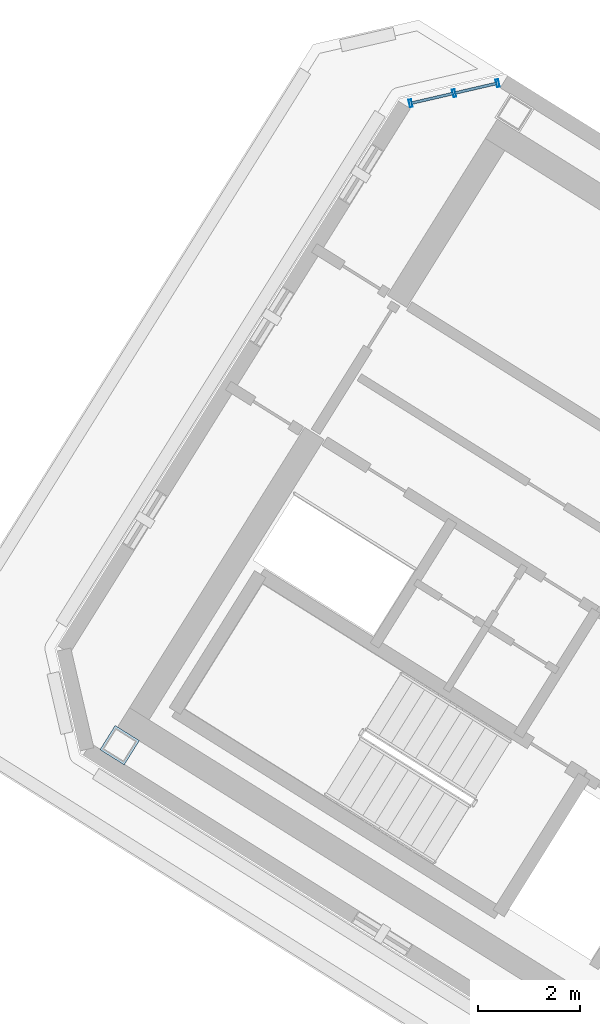
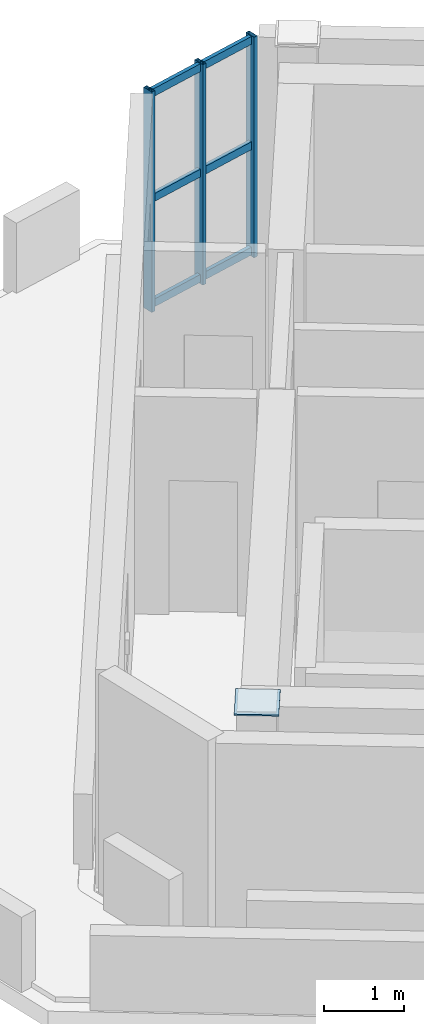
# One storey, part 2 of 5: 9 members, 1 plate, 1 element without a shape of its own.
"""IFC4 building model written with IfcOpenShell, lengths in metres."""

from ifc_helpers import new_model, si_unit, direction, frame, origin, origin_2d, place, context, subcontext, project, spatial, rectangle, hollow_rectangle, extrude, source, transform, mapped, material, layer, layer_set, material_profile, profile_set, type_object, element, aggregate, save


model = new_model("IFC4")

# Units and contexts
model_context = context("Model", 3, precision=1e-05, world=origin(), true_north=direction((0.0, 1.0)))
body_context = subcontext(model_context, "Body", "Model", "MODEL_VIEW")
ifc_project = project(units=[si_unit("LENGTHUNIT", "METRE"), si_unit("AREAUNIT", "SQUARE_METRE"), si_unit("VOLUMEUNIT", "CUBIC_METRE"), si_unit("PLANEANGLEUNIT", "RADIAN"), si_unit("MASSUNIT", "GRAM", prefix="KILO")], contexts=[model_context])

# Site, building, storey
site_placement = place(None, origin())
site = spatial("IfcSite", under=ifc_project, at=site_placement, CompositionType="ELEMENT")
building_placement = place(site_placement, origin())
building = spatial("IfcBuilding", under=site, at=building_placement, Name="Tlacorven Tower", CompositionType="ELEMENT")
storey_placement = place(building_placement, frame((0.0, 0.0, 316.800048828125)))
storey = spatial("IfcBuildingStorey", under=building, at=storey_placement, Name="L81", CompositionType="ELEMENT", Elevation=316.800048828125)

# Curtain wall, members
ifc_material_1 = material(Name="Dark solar low-E double glazing in aluminium frame", Category="aluminium")
curtain_wall_type = type_object("IfcCurtainWallType", Name="CW-CRN-LANTERN", PredefinedType="USERDEFINED", material=ifc_material_1)
curtain_wall_placement = place(storey_placement, origin())
curtain_wall = element("IfcCurtainWall", 1, at=curtain_wall_placement, inside=storey, type_object=curtain_wall_type, Name="L81 CW-CRN-LANTERN Curtain Wall 367", ObjectType="UNITISED CURTAIN WALL", PredefinedType="USERDEFINED")
ifc_material_2 = material(Name="Aluminium 6063-T6 anodised", Category="aluminium")
ifc_material_profile_1 = material_profile(ifc_material_2, hollow_rectangle(XDim=0.054931640625, YDim=0.1201171875, WallThickness=0.00341796875, at=origin_2d()), Name="ALU TRANSOM 55X120")
ifc_profile_set_1 = profile_set([ifc_material_profile_1], Name="Aluminium 6063-T6 anodised")
member_type_1 = type_object("IfcMemberType", Name="CWT-03", PredefinedType="USERDEFINED", material=ifc_profile_set_1)
shared_shape_1 = source(origin(), body_context, "Body", "SweptSolid", [
    extrude(hollow_rectangle(XDim=0.054931640625, YDim=0.1201171875, WallThickness=0.00341796875, at=origin_2d()), origin(), (0.0, 0.0, 1.0), 0.84423828125),
])
member_1_placement = place(storey_placement, frame((27.90478515625, 31.446044921875, 0.06005859375), z_axis=(0.974357063896, 0.225007359962, 0.0), x_axis=(-0.225007359962, 0.974357063896, 0.0)))
member_1 = element("IfcMember", 2, at=member_1_placement, type_object=member_type_1, Name="CW-L81-367 Transom 1", ObjectType="TRANSOM", PredefinedType="USERDEFINED", context=body_context, shape_type="MappedRepresentation", body=[
    mapped(shared_shape_1, transform((0.0, 0.0, 0.0), scale=1.0)),
])
member_2_placement = place(storey_placement, frame((27.90478515625, 31.446044921875, 1.669921875), z_axis=(0.974357063896, 0.225007359962, 0.0), x_axis=(-0.225007359962, 0.974357063896, 0.0)))
member_2 = element("IfcMember", 3, at=member_2_placement, type_object=member_type_1, Name="CW-L81-367 Transom 2", ObjectType="TRANSOM", PredefinedType="USERDEFINED", context=body_context, shape_type="MappedRepresentation", body=[
    mapped(shared_shape_1, transform((0.0, 0.0, 0.0), scale=1.0)),
])
member_3_placement = place(storey_placement, frame((27.90478515625, 31.446044921875, 3.280029296875), z_axis=(0.974357063896, 0.225007359962, 0.0), x_axis=(-0.225007359962, 0.974357063896, 0.0)))
member_3 = element("IfcMember", 4, at=member_3_placement, type_object=member_type_1, Name="CW-L81-367 Transom 3", ObjectType="TRANSOM", PredefinedType="USERDEFINED", context=body_context, shape_type="MappedRepresentation", body=[
    mapped(shared_shape_1, transform((0.0, 0.0, 0.0), scale=1.0)),
])
member_4_placement = place(storey_placement, frame((28.757568359375, 31.64306640625, 0.06005859375), z_axis=(0.974357063896, 0.225007359962, 0.0), x_axis=(-0.225007359962, 0.974357063896, 0.0)))
member_4 = element("IfcMember", 5, at=member_4_placement, type_object=member_type_1, Name="CW-L81-367 Transom 4", ObjectType="TRANSOM", PredefinedType="USERDEFINED", context=body_context, shape_type="MappedRepresentation", body=[
    mapped(shared_shape_1, transform((0.0, 0.0, 0.0), scale=1.0)),
])
member_5_placement = place(storey_placement, frame((28.757568359375, 31.64306640625, 1.669921875), z_axis=(0.974357063896, 0.225007359962, 0.0), x_axis=(-0.225007359962, 0.974357063896, 0.0)))
member_5 = element("IfcMember", 6, at=member_5_placement, type_object=member_type_1, Name="CW-L81-367 Transom 5", ObjectType="TRANSOM", PredefinedType="USERDEFINED", context=body_context, shape_type="MappedRepresentation", body=[
    mapped(shared_shape_1, transform((0.0, 0.0, 0.0), scale=1.0)),
])
member_6_placement = place(storey_placement, frame((28.757568359375, 31.64306640625, 3.280029296875), z_axis=(0.974357063896, 0.225007359962, 0.0), x_axis=(-0.225007359962, 0.974357063896, 0.0)))
member_6 = element("IfcMember", 7, at=member_6_placement, type_object=member_type_1, Name="CW-L81-367 Transom 6", ObjectType="TRANSOM", PredefinedType="USERDEFINED", context=body_context, shape_type="MappedRepresentation", body=[
    mapped(shared_shape_1, transform((0.0, 0.0, 0.0), scale=1.0)),
])
ifc_material_profile_2 = material_profile(ifc_material_2, hollow_rectangle(XDim=0.054931640625, YDim=0.14990234375, WallThickness=0.00390625, at=origin_2d()), Name="ALU MULLION 55X150")
ifc_profile_set_2 = profile_set([ifc_material_profile_2], Name="Aluminium 6063-T6 anodised")
member_type_2 = type_object("IfcMemberType", Name="CWM-04", PredefinedType="MULLION", material=ifc_profile_set_2)
shared_shape_2 = source(origin(), body_context, "Body", "SweptSolid", [
    extrude(hollow_rectangle(XDim=0.054931640625, YDim=0.14990234375, WallThickness=0.00390625, at=origin_2d()), origin(), (0.0, 0.0, 1.0), 3.369873046875),
])
member_7_placement = place(storey_placement, frame((27.8896484375, 31.442626953125, -0.02001953125), z_axis=(0.0, 0.0, 1.0), x_axis=(0.974369342296, 0.224954183764, 0.0)))
member_7 = element("IfcMember", 8, at=member_7_placement, type_object=member_type_2, Name="CW-L81-367 Mullion 1", PredefinedType="MULLION", context=body_context, shape_type="MappedRepresentation", body=[
    mapped(shared_shape_2, transform((0.0, 0.0, 0.0), scale=1.0)),
])
member_8_placement = place(storey_placement, frame((28.742431640625, 31.6396484375, -0.02001953125), z_axis=(0.0, 0.0, 1.0), x_axis=(0.974369342296, 0.224954183764, 0.0)))
member_8 = element("IfcMember", 9, at=member_8_placement, type_object=member_type_2, Name="CW-L81-367 Mullion 2", PredefinedType="MULLION", context=body_context, shape_type="MappedRepresentation", body=[
    mapped(shared_shape_2, transform((0.0, 0.0, 0.0), scale=1.0)),
])
member_9_placement = place(storey_placement, frame((29.59521484375, 31.83642578125, -0.02001953125), z_axis=(0.0, 0.0, 1.0), x_axis=(0.974369342296, 0.224954183764, 0.0)))
member_9 = element("IfcMember", 10, at=member_9_placement, type_object=member_type_2, Name="CW-L81-367 Mullion 3", PredefinedType="MULLION", context=body_context, shape_type="MappedRepresentation", body=[
    mapped(shared_shape_2, transform((0.0, 0.0, 0.0), scale=1.0)),
])
aggregate(curtain_wall, [member_7, member_8, member_9, member_1, member_2, member_3, member_4, member_5, member_6])

# Plate
ifc_material_3 = material(Name="Steel S460M", Category="steel")
ifc_layer = layer(ifc_material_3, 0.02001953125)
ifc_layer_set = layer_set([ifc_layer], Name="Steel S460M")
plate_type = type_object("IfcPlateType", Name="PL-CAP-END2", PredefinedType="USERDEFINED", material=ifc_layer_set)
shared_shape_3 = source(origin(), body_context, "Body", "SweptSolid", [
    extrude(rectangle(XDim=0.56005859375, YDim=0.56005859375, at=origin_2d()), origin(), (0.0, 0.0, 1.0), 0.02001953125),
])
plate_placement = place(storey_placement, frame((22.191162109375, 18.869873046875, 3.579833984375), z_axis=(0.0, 0.0, 1.0), x_axis=(-0.848048096156, 0.529919264233, 0.0)))
element("IfcPlate", 11, at=plate_placement, inside=storey, type_object=plate_type, Name="L81 Box Column Top Cap Plate COL-L81-CR22", ObjectType="END PLATE", PredefinedType="USERDEFINED", context=body_context, shape_type="MappedRepresentation", body=[
    mapped(shared_shape_3, transform((0.0, 0.0, 0.0), scale=1.0)),
])

save(model, "model.ifc")
